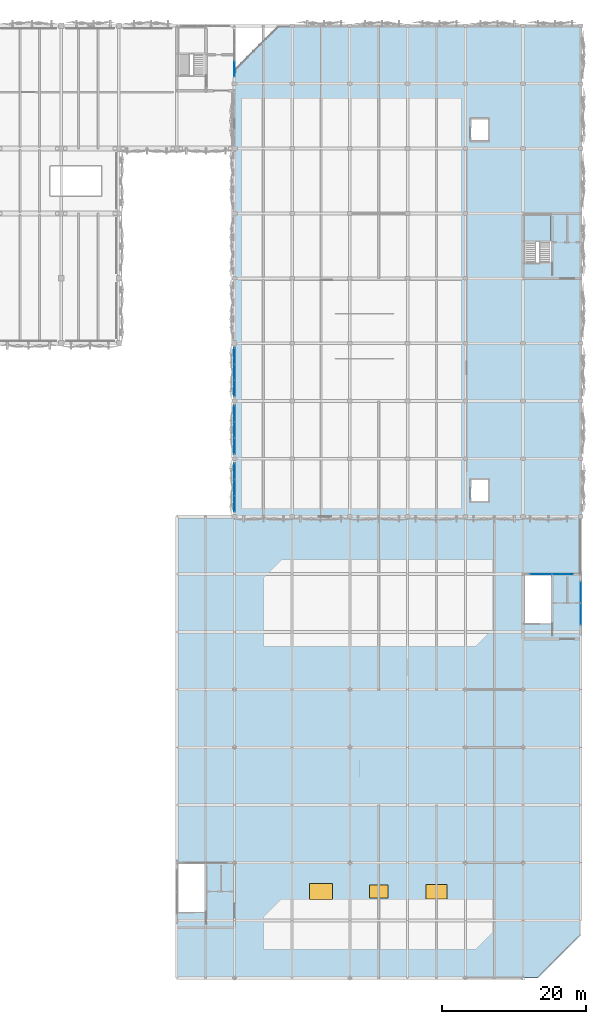
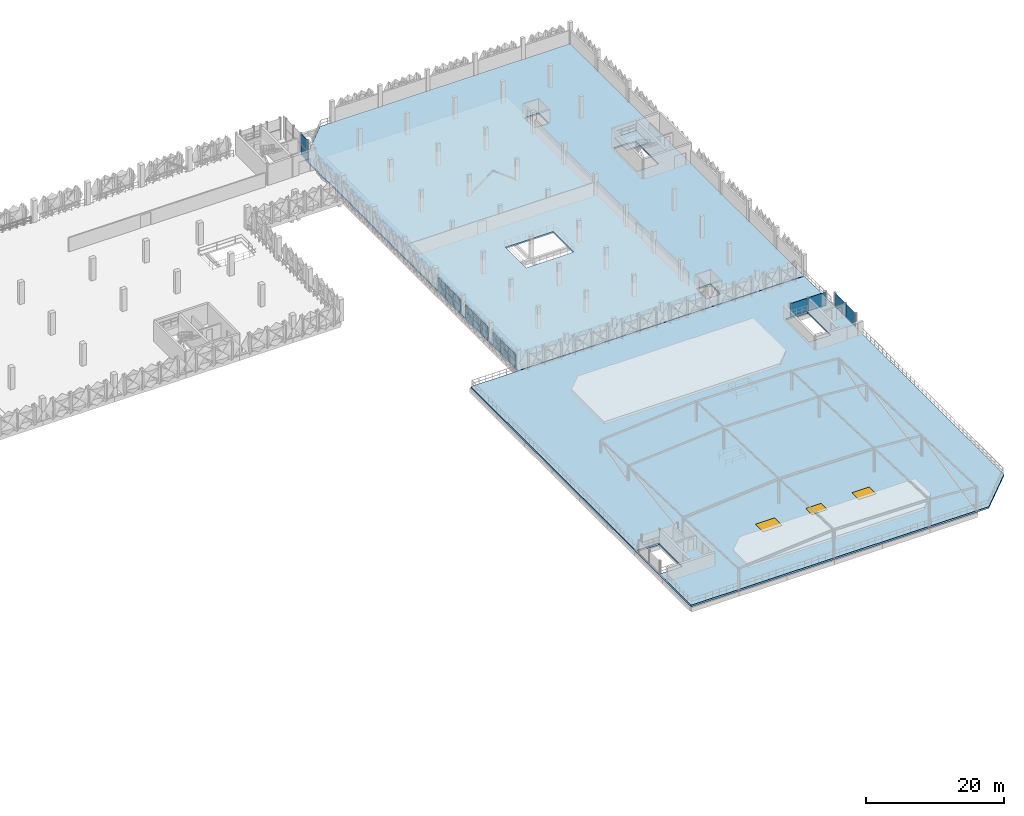
# One storey, part 32 of 76: 24 plates, 3 slabs, 3 windows, 3 openings, 7 elements without a shape of their own.
"""IFC4 building model written with IfcOpenShell, lengths in metres."""

from ifc_helpers import new_model, si_unit, derived_unit, direction, frame, origin, origin_2d, place, context, subcontext, project, spatial, polyline, rectangle, outline, extrude, material, layer, layer_set, type_object, element, fill, aggregate, save


model = new_model("IFC4")

# Units and contexts
model_context = context("Model", 3, precision=1e-05, world=origin(), true_north=direction((0.0, 1.0)))
body_context = subcontext(model_context, "Body", "Model", "MODEL_VIEW")
ifc_project = project(units=[si_unit("LENGTHUNIT", "METRE"), si_unit("AREAUNIT", "SQUARE_METRE"), si_unit("VOLUMEUNIT", "CUBIC_METRE"), si_unit("PLANEANGLEUNIT", "RADIAN"), si_unit("MASSUNIT", "GRAM", prefix="KILO"), si_unit("THERMODYNAMICTEMPERATUREUNIT", "KELVIN"), derived_unit("THERMALTRANSMITTANCEUNIT", [(si_unit("POWERUNIT", "WATT"), 1), (si_unit("AREAUNIT", "SQUARE_METRE"), -1), (si_unit("THERMODYNAMICTEMPERATUREUNIT", "KELVIN"), -1)])], contexts=[model_context])

# Site, building, storey
site_placement = place(None, origin())
site = spatial("IfcSite", under=ifc_project, at=site_placement, CompositionType="ELEMENT")
building_placement = place(site_placement, origin())
building = spatial("IfcBuilding", under=site, at=building_placement, Name="Haiyu Intermodal Mobility Hub", CompositionType="ELEMENT")
storey_placement = place(building_placement, frame((0.0, 0.0, 17.300048828125)))
storey = spatial("IfcBuildingStorey", under=building, at=storey_placement, Name="L04", CompositionType="ELEMENT", Elevation=17.300048828125)

# Curtain wall, plates
ifc_material_1 = material(Name="Low-e laminated insulating glass", Category="glass")
ifc_layer_1 = layer(ifc_material_1, 0.2099609375)
ifc_layer_set_1 = layer_set([ifc_layer_1], Name="Low-e laminated insulating glass")
curtain_wall_type_1 = type_object("IfcCurtainWallType", Name="CW-CW04", PredefinedType="NOTDEFINED", material=ifc_layer_set_1)
curtain_wall_1_placement = place(storey_placement, origin())
curtain_wall_1 = element("IfcCurtainWall", 1, at=curtain_wall_1_placement, inside=storey, type_object=curtain_wall_type_1, Name="Curtain Wall CW-V6W-L04-152", PredefinedType="NOTDEFINED")
ifc_layer_2 = layer(ifc_material_1, 0.035888671875)
ifc_layer_set_2 = layer_set([ifc_layer_2], Name="Low-e laminated insulating glass")
plate_type_1 = type_object("IfcPlateType", Name="PLT-CP01", PredefinedType="CURTAIN_PANEL", material=ifc_layer_set_2)
plate_1_placement = place(storey_placement, frame((162.0, 86.22705078125, 0.034912109375), z_axis=(0.0, 0.0, 1.0), x_axis=(0.0, -1.0, 0.0)))
plate_1 = element("IfcPlate", 2, at=plate_1_placement, type_object=plate_type_1, Name="CW-V6W-L04-152-PN01", PredefinedType="CURTAIN_PANEL", context=body_context, shape_type="SweptSolid", body=[
    extrude(rectangle(XDim=2.136962890625, YDim=0.035888671875, at=origin_2d()), origin(), (0.0, 0.0, 1.0), 1.169921875),
])
plate_2_placement = place(storey_placement, frame((162.0, 84.0, 0.034912109375), z_axis=(0.0, 0.0, 1.0), x_axis=(0.0, -1.0, 0.0)))
plate_2 = element("IfcPlate", 3, at=plate_2_placement, type_object=plate_type_1, Name="CW-V6W-L04-152-PN03", PredefinedType="CURTAIN_PANEL", context=body_context, shape_type="SweptSolid", body=[
    extrude(rectangle(XDim=2.136962890625, YDim=0.035888671875, at=origin_2d()), origin(), (0.0, 0.0, 1.0), 1.169921875),
])
plate_3_placement = place(storey_placement, frame((162.0, 81.77294921875, 0.034912109375), z_axis=(0.0, 0.0, 1.0), x_axis=(0.0, -1.0, 0.0)))
plate_3 = element("IfcPlate", 4, at=plate_3_placement, type_object=plate_type_1, Name="CW-V6W-L04-152-PN05", PredefinedType="CURTAIN_PANEL", context=body_context, shape_type="SweptSolid", body=[
    extrude(rectangle(XDim=2.136962890625, YDim=0.035888671875, at=origin_2d()), origin(), (0.0, 0.0, 1.0), 1.169921875),
])

curtain_wall_2_placement = place(storey_placement, origin())
curtain_wall_2 = element("IfcCurtainWall", 5, at=curtain_wall_2_placement, inside=storey, type_object=curtain_wall_type_1, Name="Curtain Wall CW-V6W-L04-153", PredefinedType="NOTDEFINED")
plate_4_placement = place(storey_placement, frame((162.0, 94.22705078125, 0.034912109375), z_axis=(0.0, 0.0, 1.0), x_axis=(0.0, -1.0, 0.0)))
plate_4 = element("IfcPlate", 6, at=plate_4_placement, type_object=plate_type_1, Name="CW-V6W-L04-153-PN01", PredefinedType="CURTAIN_PANEL", context=body_context, shape_type="SweptSolid", body=[
    extrude(rectangle(XDim=2.136962890625, YDim=0.035888671875, at=origin_2d()), origin(), (0.0, 0.0, 1.0), 1.169921875),
])
plate_5_placement = place(storey_placement, frame((162.0, 92.0, 0.034912109375), z_axis=(0.0, 0.0, 1.0), x_axis=(0.0, -1.0, 0.0)))
plate_5 = element("IfcPlate", 7, at=plate_5_placement, type_object=plate_type_1, Name="CW-V6W-L04-153-PN03", PredefinedType="CURTAIN_PANEL", context=body_context, shape_type="SweptSolid", body=[
    extrude(rectangle(XDim=2.136962890625, YDim=0.035888671875, at=origin_2d()), origin(), (0.0, 0.0, 1.0), 1.169921875),
])
plate_6_placement = place(storey_placement, frame((162.0, 89.77294921875, 0.034912109375), z_axis=(0.0, 0.0, 1.0), x_axis=(0.0, -1.0, 0.0)))
plate_6 = element("IfcPlate", 8, at=plate_6_placement, type_object=plate_type_1, Name="CW-V6W-L04-153-PN05", PredefinedType="CURTAIN_PANEL", context=body_context, shape_type="SweptSolid", body=[
    extrude(rectangle(XDim=2.136962890625, YDim=0.035888671875, at=origin_2d()), origin(), (0.0, 0.0, 1.0), 1.169921875),
])

curtain_wall_3_placement = place(storey_placement, origin())
curtain_wall_3 = element("IfcCurtainWall", 9, at=curtain_wall_3_placement, inside=storey, type_object=curtain_wall_type_1, Name="Curtain Wall CW-V6W-L04-154", PredefinedType="NOTDEFINED")
plate_7_placement = place(storey_placement, frame((162.0, 102.22705078125, 0.034912109375), z_axis=(0.0, 0.0, 1.0), x_axis=(0.0, -1.0, 0.0)))
plate_7 = element("IfcPlate", 10, at=plate_7_placement, type_object=plate_type_1, Name="CW-V6W-L04-154-PN01", PredefinedType="CURTAIN_PANEL", context=body_context, shape_type="SweptSolid", body=[
    extrude(rectangle(XDim=2.136962890625, YDim=0.035888671875, at=origin_2d()), origin(), (0.0, 0.0, 1.0), 1.169921875),
])
plate_8_placement = place(storey_placement, frame((162.0, 100.0, 0.034912109375), z_axis=(0.0, 0.0, 1.0), x_axis=(0.0, -1.0, 0.0)))
plate_8 = element("IfcPlate", 11, at=plate_8_placement, type_object=plate_type_1, Name="CW-V6W-L04-154-PN03", PredefinedType="CURTAIN_PANEL", context=body_context, shape_type="SweptSolid", body=[
    extrude(rectangle(XDim=2.136962890625, YDim=0.035888671875, at=origin_2d()), origin(), (0.0, 0.0, 1.0), 1.169921875),
])
plate_9_placement = place(storey_placement, frame((162.0, 97.77294921875, 0.034912109375), z_axis=(0.0, 0.0, 1.0), x_axis=(0.0, -1.0, 0.0)))
plate_9 = element("IfcPlate", 12, at=plate_9_placement, type_object=plate_type_1, Name="CW-V6W-L04-154-PN05", PredefinedType="CURTAIN_PANEL", context=body_context, shape_type="SweptSolid", body=[
    extrude(rectangle(XDim=2.136962890625, YDim=0.035888671875, at=origin_2d()), origin(), (0.0, 0.0, 1.0), 1.169921875),
])

# Curtain wall, plate
ifc_layer_3 = layer(ifc_material_1, 0.199951171875)
ifc_layer_set_3 = layer_set([ifc_layer_3], Name="Low-e laminated insulating glass")
curtain_wall_type_2 = type_object("IfcCurtainWallType", Name="CW-CW03", PredefinedType="NOTDEFINED", material=ifc_layer_set_3)
curtain_wall_4_placement = place(storey_placement, origin())
curtain_wall_4 = element("IfcCurtainWall", 13, at=curtain_wall_4_placement, inside=storey, type_object=curtain_wall_type_2, Name="Curtain Wall CW-C4S-L04-072", PredefinedType="NOTDEFINED")
ifc_layer_4 = layer(ifc_material_1, 0.0400390625)
ifc_layer_set_4 = layer_set([ifc_layer_4], Name="Low-e laminated insulating glass")
plate_type_2 = type_object("IfcPlateType", Name="PLT-CP03", PredefinedType="CURTAIN_PANEL", material=ifc_layer_set_4)
plate_10_placement = place(storey_placement, frame((162.0, 142.048095703125, 0.03466796875), z_axis=(0.0, 0.0, 1.0), x_axis=(0.0, 1.0, 0.0)))
plate_10 = element("IfcPlate", 14, at=plate_10_placement, type_object=plate_type_2, Name="CW-C4S-L04-072-PN01", PredefinedType="CURTAIN_PANEL", context=body_context, shape_type="SweptSolid", body=[
    extrude(rectangle(XDim=2.027099609375, YDim=0.0400390625, at=origin_2d()), origin(), (0.0, 0.0, 1.0), 1.840087890625),
])

# Curtain wall, plates
curtain_wall_5_placement = place(storey_placement, origin())
curtain_wall_5 = element("IfcCurtainWall", 15, at=curtain_wall_5_placement, inside=storey, type_object=curtain_wall_type_2, Name="Curtain Wall CW-CPAR-C9-E", PredefinedType="NOTDEFINED")
plate_11_placement = place(storey_placement, frame((210.0, 66.4580078125, 0.034423828125), z_axis=(0.0, 0.0, 1.0), x_axis=(0.0, 1.0, 0.0)))
plate_11 = element("IfcPlate", 16, at=plate_11_placement, type_object=plate_type_2, Name="CW-CPAR-C9-E-PN01", PredefinedType="CURTAIN_PANEL", context=body_context, shape_type="SweptSolid", body=[
    extrude(rectangle(XDim=2.945068359375, YDim=0.0400390625, at=origin_2d()), origin(), (0.0, 0.0, 1.0), 2.35107421875),
])
plate_12_placement = place(storey_placement, frame((210.0, 69.491943359375, 0.034423828125), z_axis=(0.0, 0.0, 1.0), x_axis=(0.0, 1.0, 0.0)))
plate_12 = element("IfcPlate", 17, at=plate_12_placement, type_object=plate_type_2, Name="CW-CPAR-C9-E-PN02", PredefinedType="CURTAIN_PANEL", context=body_context, shape_type="SweptSolid", body=[
    extrude(rectangle(XDim=2.945068359375, YDim=0.0400390625, at=origin_2d()), origin(), (0.0, 0.0, 1.0), 2.35107421875),
])
aggregate(curtain_wall_5, [plate_11, plate_12])

curtain_wall_6_placement = place(storey_placement, origin())
curtain_wall_6 = element("IfcCurtainWall", 18, at=curtain_wall_6_placement, inside=storey, type_object=curtain_wall_type_2, Name="Curtain Wall CW-CPAR-C9-N", PredefinedType="NOTDEFINED")
plate_13_placement = place(storey_placement, frame((207.5048828125, 72.0, 0.034423828125), z_axis=(0.0, 0.0, 1.0), x_axis=(-1.0, 0.0, 0.0)))
plate_13 = element("IfcPlate", 19, at=plate_13_placement, type_object=plate_type_2, Name="CW-CPAR-C9-N-PN01", PredefinedType="CURTAIN_PANEL", context=body_context, shape_type="SweptSolid", body=[
    extrude(rectangle(XDim=2.919921875, YDim=0.0400390625, at=origin_2d()), origin(), (0.0, 0.0, 1.0), 2.35107421875),
])
plate_14_placement = place(storey_placement, frame((204.4951171875, 72.0, 0.034423828125), z_axis=(0.0, 0.0, 1.0), x_axis=(-1.0, 0.0, 0.0)))
plate_14 = element("IfcPlate", 20, at=plate_14_placement, type_object=plate_type_2, Name="CW-CPAR-C9-N-PN02", PredefinedType="CURTAIN_PANEL", context=body_context, shape_type="SweptSolid", body=[
    extrude(rectangle(XDim=2.919921875, YDim=0.0400390625, at=origin_2d()), origin(), (0.0, 0.0, 1.0), 2.35107421875),
])
aggregate(curtain_wall_6, [plate_13, plate_14])

# Plate
ifc_layer_5 = layer(ifc_material_1, 0.0439453125)
ifc_layer_set_5 = layer_set([ifc_layer_5], Name="Low-e laminated insulating glass")
plate_type_3 = type_object("IfcPlateType", Name="PLT-CP04", PredefinedType="CURTAIN_PANEL", material=ifc_layer_set_5)
plate_15_placement = place(storey_placement, frame((162.0, 142.048095703125, 1.94482421875), z_axis=(0.0, 0.0, 1.0), x_axis=(0.0, 1.0, 0.0)))
plate_15 = element("IfcPlate", 21, at=plate_15_placement, type_object=plate_type_3, Name="CW-C4S-L04-072-PN02", PredefinedType="CURTAIN_PANEL", context=body_context, shape_type="SweptSolid", body=[
    extrude(rectangle(XDim=2.027099609375, YDim=0.0439453125, at=origin_2d()), origin(), (0.0, 0.0, 1.0), 1.840087890625),
])

aggregate(curtain_wall_4, [plate_10, plate_15])

plate_16_placement = place(storey_placement, frame((162.0, 86.22705078125, 1.27490234375), z_axis=(0.0, 0.0, 1.0), x_axis=(0.0, -1.0, 0.0)))
plate_16 = element("IfcPlate", 22, at=plate_16_placement, type_object=plate_type_3, Name="CW-V6W-L04-152-PN02", PredefinedType="CURTAIN_PANEL", context=body_context, shape_type="SweptSolid", body=[
    extrude(rectangle(XDim=2.136962890625, YDim=0.0439453125, at=origin_2d()), origin(), (0.0, 0.0, 1.0), 1.169921875),
])

plate_17_placement = place(storey_placement, frame((162.0, 84.0, 1.27490234375), z_axis=(0.0, 0.0, 1.0), x_axis=(0.0, -1.0, 0.0)))
plate_17 = element("IfcPlate", 23, at=plate_17_placement, type_object=plate_type_3, Name="CW-V6W-L04-152-PN04", PredefinedType="CURTAIN_PANEL", context=body_context, shape_type="SweptSolid", body=[
    extrude(rectangle(XDim=2.136962890625, YDim=0.0439453125, at=origin_2d()), origin(), (0.0, 0.0, 1.0), 1.169921875),
])

plate_18_placement = place(storey_placement, frame((162.0, 81.77294921875, 1.27490234375), z_axis=(0.0, 0.0, 1.0), x_axis=(0.0, -1.0, 0.0)))
plate_18 = element("IfcPlate", 24, at=plate_18_placement, type_object=plate_type_3, Name="CW-V6W-L04-152-PN06", PredefinedType="CURTAIN_PANEL", context=body_context, shape_type="SweptSolid", body=[
    extrude(rectangle(XDim=2.136962890625, YDim=0.0439453125, at=origin_2d()), origin(), (0.0, 0.0, 1.0), 1.169921875),
])

aggregate(curtain_wall_1, [plate_1, plate_16, plate_2, plate_17, plate_3, plate_18])

plate_19_placement = place(storey_placement, frame((162.0, 94.22705078125, 1.27490234375), z_axis=(0.0, 0.0, 1.0), x_axis=(0.0, -1.0, 0.0)))
plate_19 = element("IfcPlate", 25, at=plate_19_placement, type_object=plate_type_3, Name="CW-V6W-L04-153-PN02", PredefinedType="CURTAIN_PANEL", context=body_context, shape_type="SweptSolid", body=[
    extrude(rectangle(XDim=2.136962890625, YDim=0.0439453125, at=origin_2d()), origin(), (0.0, 0.0, 1.0), 1.169921875),
])

plate_20_placement = place(storey_placement, frame((162.0, 92.0, 1.27490234375), z_axis=(0.0, 0.0, 1.0), x_axis=(0.0, -1.0, 0.0)))
plate_20 = element("IfcPlate", 26, at=plate_20_placement, type_object=plate_type_3, Name="CW-V6W-L04-153-PN04", PredefinedType="CURTAIN_PANEL", context=body_context, shape_type="SweptSolid", body=[
    extrude(rectangle(XDim=2.136962890625, YDim=0.0439453125, at=origin_2d()), origin(), (0.0, 0.0, 1.0), 1.169921875),
])

plate_21_placement = place(storey_placement, frame((162.0, 89.77294921875, 1.27490234375), z_axis=(0.0, 0.0, 1.0), x_axis=(0.0, -1.0, 0.0)))
plate_21 = element("IfcPlate", 27, at=plate_21_placement, type_object=plate_type_3, Name="CW-V6W-L04-153-PN06", PredefinedType="CURTAIN_PANEL", context=body_context, shape_type="SweptSolid", body=[
    extrude(rectangle(XDim=2.136962890625, YDim=0.0439453125, at=origin_2d()), origin(), (0.0, 0.0, 1.0), 1.169921875),
])

aggregate(curtain_wall_2, [plate_4, plate_19, plate_5, plate_20, plate_6, plate_21])

plate_22_placement = place(storey_placement, frame((162.0, 102.22705078125, 1.27490234375), z_axis=(0.0, 0.0, 1.0), x_axis=(0.0, -1.0, 0.0)))
plate_22 = element("IfcPlate", 28, at=plate_22_placement, type_object=plate_type_3, Name="CW-V6W-L04-154-PN02", PredefinedType="CURTAIN_PANEL", context=body_context, shape_type="SweptSolid", body=[
    extrude(rectangle(XDim=2.136962890625, YDim=0.0439453125, at=origin_2d()), origin(), (0.0, 0.0, 1.0), 1.169921875),
])

plate_23_placement = place(storey_placement, frame((162.0, 100.0, 1.27490234375), z_axis=(0.0, 0.0, 1.0), x_axis=(0.0, -1.0, 0.0)))
plate_23 = element("IfcPlate", 29, at=plate_23_placement, type_object=plate_type_3, Name="CW-V6W-L04-154-PN04", PredefinedType="CURTAIN_PANEL", context=body_context, shape_type="SweptSolid", body=[
    extrude(rectangle(XDim=2.136962890625, YDim=0.0439453125, at=origin_2d()), origin(), (0.0, 0.0, 1.0), 1.169921875),
])

plate_24_placement = place(storey_placement, frame((162.0, 97.77294921875, 1.27490234375), z_axis=(0.0, 0.0, 1.0), x_axis=(0.0, -1.0, 0.0)))
plate_24 = element("IfcPlate", 30, at=plate_24_placement, type_object=plate_type_3, Name="CW-V6W-L04-154-PN06", PredefinedType="CURTAIN_PANEL", context=body_context, shape_type="SweptSolid", body=[
    extrude(rectangle(XDim=2.136962890625, YDim=0.0439453125, at=origin_2d()), origin(), (0.0, 0.0, 1.0), 1.169921875),
])

aggregate(curtain_wall_3, [plate_7, plate_22, plate_8, plate_23, plate_9, plate_24])

# Slab
ifc_material_2 = material(Name="Concrete C40", Category="concrete")
ifc_layer_6 = layer(ifc_material_2, 0.199951171875)
ifc_layer_set_6 = layer_set([ifc_layer_6], Name="Concrete C40")
slab_type_1 = type_object("IfcSlabType", Name="SLB-SL07", PredefinedType="FLOOR", material=ifc_layer_set_6)
slab_1_placement = place(storey_placement, frame((0.0, 0.0, -0.260009765625)))
element("IfcSlab", 31, at=slab_1_placement, inside=storey, type_object=slab_type_1, Name="L04 Service & Dispatch Wing Slab", PredefinedType="FLOOR", context=body_context, shape_type="SweptSolid", body=[
    extrude(outline(polyline([(162.02001953125, 80.02001953125), (210.0, 80.02001953125), (210.0, 148.0), (168.0, 148.0), (162.02001953125, 142.0), (162.02001953125, 80.02001953125)]), holes=[polyline([(202.219970703125, 115.14990234375), (205.85009765625, 115.14990234375), (205.85009765625, 121.949951171875), (202.219970703125, 121.949951171875), (202.219970703125, 115.14990234375)]), polyline([(194.81494140625, 82.114990234375), (197.18505859375, 82.114990234375), (197.18505859375, 85.0849609375), (194.81494140625, 85.0849609375), (194.81494140625, 82.114990234375)]), polyline([(194.81494140625, 132.114990234375), (197.18505859375, 132.114990234375), (197.18505859375, 135.0849609375), (194.81494140625, 135.0849609375), (194.81494140625, 132.114990234375)]), polyline([(176.0, 102.0), (184.0, 102.0), (184.0, 108.0), (176.0, 108.0), (176.0, 102.0)])]), origin(), (0.0, 0.0, 1.0), 0.260009765625),
])

# Slab, openings, windows
ifc_layer_7 = layer(ifc_material_2, 0.300048828125)
ifc_layer_set_7 = layer_set([ifc_layer_7], Name="Concrete C40")
slab_type_2 = type_object("IfcSlabType", Name="SLB-SL11", PredefinedType="ROOF", material=ifc_layer_set_7)
slab_2_placement = place(storey_placement, frame((0.0, 0.0, -0.300048828125)))
slab_2 = element("IfcSlab", 32, at=slab_2_placement, inside=storey, type_object=slab_type_2, Name="L04 Bicycle Wing Planted Roof Garden Slab", PredefinedType="ROOF", context=body_context, shape_type="SweptSolid", body=[
    extrude(outline(polyline([(154.02001953125, 16.0), (204.0, 16.0), (210.0, 22.0), (210.0, 79.97998046875), (154.02001953125, 79.97998046875), (154.02001953125, 16.0)]), holes=[polyline([(154.219970703125, 25.14990234375), (157.85009765625, 25.14990234375), (157.85009765625, 31.949951171875), (154.219970703125, 31.949951171875), (154.219970703125, 25.14990234375)]), polyline([(202.219970703125, 65.14990234375), (205.85009765625, 65.14990234375), (205.85009765625, 71.949951171875), (202.219970703125, 71.949951171875), (202.219970703125, 65.14990234375)]), polyline([(172.39990234375, 26.89990234375), (175.60009765625, 26.89990234375), (175.60009765625, 29.10009765625), (172.39990234375, 29.10009765625), (172.39990234375, 26.89990234375)]), polyline([(180.699951171875, 27.10009765625), (183.300048828125, 27.10009765625), (183.300048828125, 28.89990234375), (180.699951171875, 28.89990234375), (180.699951171875, 27.10009765625)]), polyline([(188.550048828125, 27.0), (191.449951171875, 27.0), (191.449951171875, 29.0), (188.550048828125, 29.0), (188.550048828125, 27.0)])]), origin(), (0.0, 0.0, 1.0), 0.300048828125),
])
opening_1_placement = place(slab_2_placement, frame((174.0, 28.0, 0.0)))
opening_1 = element("IfcOpeningElement", 33, at=opening_1_placement, cuts=slab_2, Name="Opening SK01", PredefinedType="OPENING", context=body_context, shape_type="SweptSolid", body=[
    extrude(rectangle(XDim=3.199951171875, YDim=2.199951171875, at=origin_2d()), frame((0.0, 0.0, -0.010009765625)), (0.0, 0.0, 1.0), 0.320068359375),
])
opening_2_placement = place(slab_2_placement, frame((182.0, 28.0, 0.0)))
opening_2 = element("IfcOpeningElement", 34, at=opening_2_placement, cuts=slab_2, Name="Opening SK02", PredefinedType="OPENING", context=body_context, shape_type="SweptSolid", body=[
    extrude(rectangle(XDim=2.60009765625, YDim=1.800048828125, at=origin_2d()), frame((0.0, 0.0, -0.010009765625)), (0.0, 0.0, 1.0), 0.320068359375),
])
opening_3_placement = place(slab_2_placement, frame((190.0, 28.0, 0.0)))
opening_3 = element("IfcOpeningElement", 35, at=opening_3_placement, cuts=slab_2, Name="Opening SK04", PredefinedType="OPENING", context=body_context, shape_type="SweptSolid", body=[
    extrude(rectangle(XDim=2.89990234375, YDim=2.0, at=origin_2d()), frame((0.0, 0.0, -0.010009765625)), (0.0, 0.0, 1.0), 0.320068359375),
])
window_type_1 = type_object("IfcWindowType", Name="WIN-SK01", PartitioningType="SINGLE_PANEL", PredefinedType="SKYLIGHT", material=ifc_material_1)
window_1_placement = place(opening_1_placement, frame((0.0, 0.0, 0.25)))
window_1 = element("IfcWindow", 36, at=window_1_placement, inside=storey, type_object=window_type_1, Name="SKL-01", OverallHeight=2.199951171875, OverallWidth=3.199951171875, PartitioningType="SINGLE_PANEL", PredefinedType="SKYLIGHT", context=body_context, shape_type="SweptSolid", body=[
    extrude(rectangle(XDim=3.199951171875, YDim=2.199951171875, at=origin_2d()), origin(), (0.0, 0.0, 1.0), 0.050048828125),
])
fill(opening_1, window_1)
window_type_2 = type_object("IfcWindowType", Name="WIN-SK02", PartitioningType="SINGLE_PANEL", PredefinedType="SKYLIGHT", material=ifc_material_1)
window_2_placement = place(opening_2_placement, frame((0.0, 0.0, 0.25)))
window_2 = element("IfcWindow", 37, at=window_2_placement, inside=storey, type_object=window_type_2, Name="SKL-02", OverallHeight=1.800048828125, OverallWidth=2.60009765625, PartitioningType="SINGLE_PANEL", PredefinedType="SKYLIGHT", context=body_context, shape_type="SweptSolid", body=[
    extrude(rectangle(XDim=2.60009765625, YDim=1.800048828125, at=origin_2d()), origin(), (0.0, 0.0, 1.0), 0.050048828125),
])
fill(opening_2, window_2)
window_type_3 = type_object("IfcWindowType", Name="WIN-SK04", PartitioningType="SINGLE_PANEL", PredefinedType="SKYLIGHT", material=ifc_material_1)
window_3_placement = place(opening_3_placement, frame((0.0, 0.0, 0.25)))
window_3 = element("IfcWindow", 38, at=window_3_placement, inside=storey, type_object=window_type_3, Name="SKL-03", OverallHeight=2.0, OverallWidth=2.89990234375, PartitioningType="SINGLE_PANEL", PredefinedType="SKYLIGHT", context=body_context, shape_type="SweptSolid", body=[
    extrude(rectangle(XDim=2.89990234375, YDim=2.0, at=origin_2d()), origin(), (0.0, 0.0, 1.0), 0.050048828125),
])
fill(opening_3, window_3)

# Stair, slab
stair_type = type_object("IfcStairType", Name="STR-ST02", PredefinedType="HALF_TURN_STAIR", material=ifc_material_2)
stair_placement = place(storey_placement, origin())
stair = element("IfcStair", 39, at=stair_placement, inside=storey, type_object=stair_type, Name="Exit Stair ST03 L04", PredefinedType="HALF_TURN_STAIR")
ifc_layer_8 = layer(ifc_material_2, 0.2099609375)
ifc_layer_set_8 = layer_set([ifc_layer_8], Name="Concrete C40")
slab_type_3 = type_object("IfcSlabType", Name="SLB-SL13", PredefinedType="LANDING", material=ifc_layer_set_8)
slab_3_placement = place(storey_placement, frame((0.0, 0.0, 1.739990234375)))
slab_3 = element("IfcSlab", 40, at=slab_3_placement, type_object=slab_type_3, Name="Stair Half-Landing STR-C10-L04-LND", PredefinedType="LANDING", context=body_context, shape_type="SweptSolid", body=[
    extrude(outline(polyline([(202.219970703125, 118.1298828125), (205.8701171875, 118.1298828125), (205.8701171875, 121.780029296875), (202.219970703125, 121.780029296875), (202.219970703125, 118.1298828125)])), origin(), (0.0, 0.0, 1.0), 0.2099609375),
])
aggregate(stair, [slab_3])

save(model, "model.ifc")
